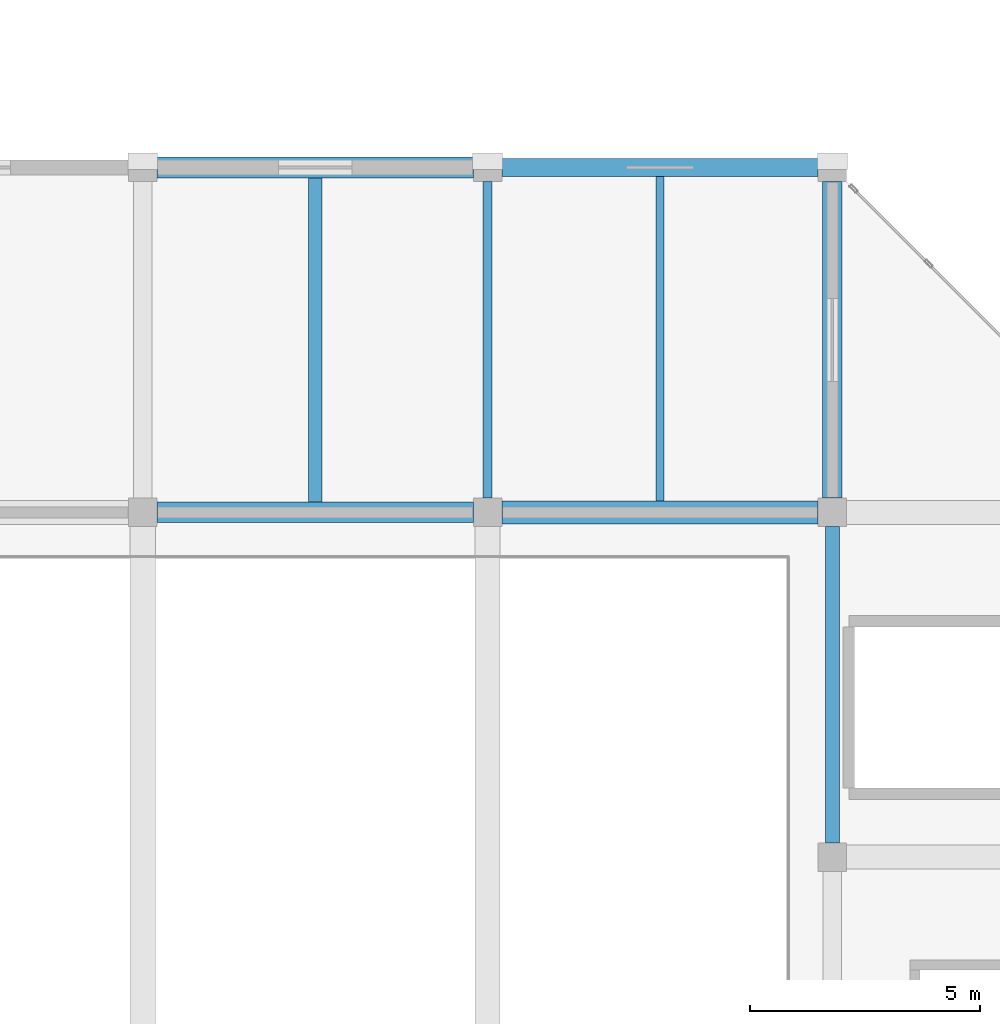
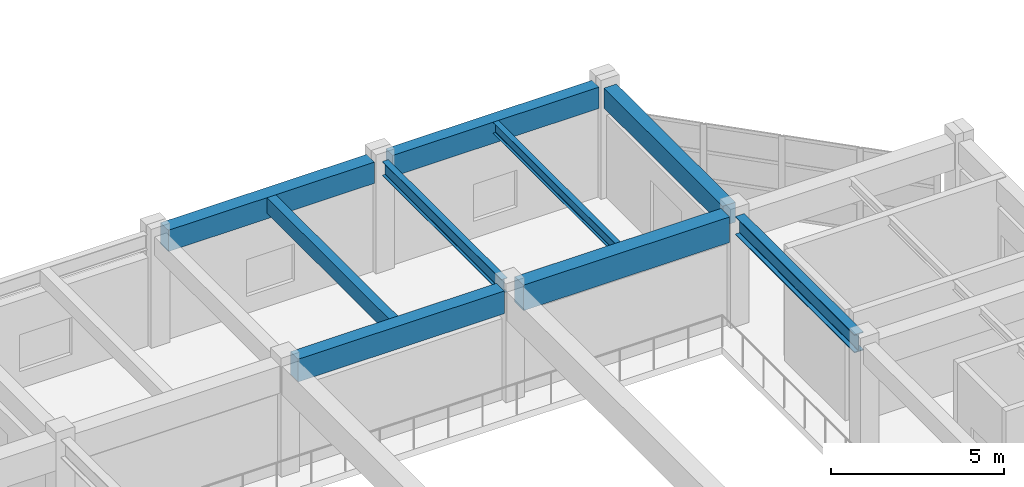
# One storey, part 64 of 124: 9 beams.
"""IFC4 building model written with IfcOpenShell, lengths in metres."""

from ifc_helpers import new_model, si_unit, direction, frame, origin, origin_2d, place, context, subcontext, project, spatial, rectangle, i_section, extrude, material, material_profile, profile_set, type_object, element, save


model = new_model("IFC4")

# Units and contexts
model_context = context("Model", 3, precision=1e-05, world=origin(), true_north=direction((0.0, 1.0)))
body_context = subcontext(model_context, "Body", "Model", "MODEL_VIEW")
ifc_project = project(units=[si_unit("LENGTHUNIT", "METRE"), si_unit("AREAUNIT", "SQUARE_METRE"), si_unit("VOLUMEUNIT", "CUBIC_METRE"), si_unit("PLANEANGLEUNIT", "RADIAN"), si_unit("MASSUNIT", "GRAM", prefix="KILO")], contexts=[model_context])

# Site, building, storey
site_placement = place(None, origin())
site = spatial("IfcSite", under=ifc_project, at=site_placement, CompositionType="ELEMENT")
building_placement = place(site_placement, origin())
building = spatial("IfcBuilding", under=site, at=building_placement, Name="Qasida Concert Hall", CompositionType="ELEMENT")
storey_placement = place(building_placement, frame((0.0, 0.0, 9.0)))
storey = spatial("IfcBuildingStorey", under=building, at=storey_placement, Name="L02", CompositionType="ELEMENT", Elevation=9.0)

# Beams
ifc_material_1 = material(Name="Concrete C40/50", Category="concrete")
ifc_material_profile_1 = material_profile(ifc_material_1, rectangle(XDim=0.419921875, YDim=0.699951171875, at=origin_2d()), Name="RC 420x700")
ifc_profile_set_1 = profile_set([ifc_material_profile_1], Name="Concrete C40/50")
beam_type_1 = type_object("IfcBeamType", Name="BM-B11", PredefinedType="BEAM", material=ifc_profile_set_1)
beam_1_placement = place(storey_placement, frame((157.5, 22.81005859375, 3.550048828125), z_axis=(0.0, 1.0, 0.0), x_axis=(-1.0, 0.0, 0.0)))
element("IfcBeam", 1, at=beam_1_placement, inside=storey, type_object=beam_type_1, Name="L02 girder 1256", PredefinedType="BEAM", context=body_context, shape_type="SweptSolid", body=[
    extrude(rectangle(XDim=0.419921875, YDim=0.699951171875, at=origin_2d()), origin(), (0.0, 0.0, 1.0), 6.8798828125),
])
ifc_material_2 = material(Name="Steel S355J2", Category="steel")
ifc_material_profile_2 = material_profile(ifc_material_2, i_section(OverallWidth=0.300048828125, OverallDepth=0.64990234375, WebThickness=0.01611328125, FlangeThickness=0.031005859375, FilletRadius=0.027099609375, at=origin_2d()), Name="HEB 650")
ifc_profile_set_2 = profile_set([ifc_material_profile_2], Name="Steel S355J2")
beam_type_2 = type_object("IfcBeamType", Name="BM-B13", PredefinedType="BEAM", material=ifc_profile_set_2)
beam_2_placement = place(storey_placement, frame((157.5, 15.31005859375, 3.574951171875), z_axis=(0.0, 1.0, 0.0), x_axis=(-1.0, 0.0, 0.0)))
element("IfcBeam", 2, at=beam_2_placement, inside=storey, type_object=beam_type_2, Name="L02 girder 1255", PredefinedType="BEAM", context=body_context, shape_type="SweptSolid", body=[
    extrude(i_section(OverallWidth=0.300048828125, OverallDepth=0.64990234375, WebThickness=0.01611328125, FlangeThickness=0.031005859375, FilletRadius=0.027099609375, at=origin_2d()), origin(), (0.0, 0.0, 1.0), 6.8798828125),
])
ifc_material_profile_3 = material_profile(ifc_material_2, i_section(OverallWidth=0.199951171875, OverallDepth=0.5, WebThickness=0.01025390625, FlangeThickness=0.01611328125, FilletRadius=0.02099609375, at=origin_2d()), Name="IPE 500")
ifc_profile_set_3 = profile_set([ifc_material_profile_3], Name="Steel S355J2")
beam_type_3 = type_object("IfcBeamType", Name="BM-B4", PredefinedType="BEAM", material=ifc_profile_set_3)
beam_3_placement = place(storey_placement, frame((150.0, 22.81005859375, 3.64990234375), z_axis=(0.0, 1.0, 0.0), x_axis=(-1.0, 0.0, 0.0)))
element("IfcBeam", 3, at=beam_3_placement, inside=storey, type_object=beam_type_3, Name="L02 girder 1252", PredefinedType="BEAM", context=body_context, shape_type="SweptSolid", body=[
    extrude(i_section(OverallWidth=0.199951171875, OverallDepth=0.5, WebThickness=0.01025390625, FlangeThickness=0.01611328125, FilletRadius=0.02099609375, at=origin_2d()), origin(), (0.0, 0.0, 1.0), 6.8798828125),
])
ifc_material_profile_4 = material_profile(ifc_material_1, rectangle(XDim=0.5, YDim=0.89990234375, at=origin_2d()), Name="RC 500x900")
ifc_profile_set_4 = profile_set([ifc_material_profile_4], Name="Concrete C40/50")
beam_type_4 = type_object("IfcBeamType", Name="BM-G1", PredefinedType="USERDEFINED", material=ifc_profile_set_4)
beam_4_placement = place(storey_placement, frame((150.31005859375, 22.5, 3.449951171875), z_axis=(1.0, 0.0, 0.0), x_axis=(0.0, 1.0, 0.0)))
element("IfcBeam", 4, at=beam_4_placement, inside=storey, type_object=beam_type_4, Name="Primary girder 1236", ObjectType="GIRDER", PredefinedType="USERDEFINED", context=body_context, shape_type="SweptSolid", body=[
    extrude(rectangle(XDim=0.5, YDim=0.89990234375, at=origin_2d()), origin(), (0.0, 0.0, 1.0), 6.8798828125),
])
ifc_material_profile_5 = material_profile(ifc_material_1, rectangle(XDim=0.449951171875, YDim=0.800048828125, at=origin_2d()), Name="RC 450x800")
ifc_profile_set_5 = profile_set([ifc_material_profile_5], Name="Concrete C40/50")
beam_type_5 = type_object("IfcBeamType", Name="BM-G2", PredefinedType="USERDEFINED", material=ifc_profile_set_5)
beam_5_placement = place(storey_placement, frame((142.81005859375, 22.5, 3.5), z_axis=(1.0, 0.0, 0.0), x_axis=(0.0, 1.0, 0.0)))
element("IfcBeam", 5, at=beam_5_placement, inside=storey, type_object=beam_type_5, Name="Primary girder 1235", ObjectType="GIRDER", PredefinedType="USERDEFINED", context=body_context, shape_type="SweptSolid", body=[
    extrude(rectangle(XDim=0.449951171875, YDim=0.800048828125, at=origin_2d()), origin(), (0.0, 0.0, 1.0), 6.8798828125),
])
ifc_material_profile_6 = material_profile(ifc_material_1, rectangle(XDim=0.300048828125, YDim=0.550048828125, at=origin_2d()), Name="RC 300x550")
ifc_profile_set_6 = profile_set([ifc_material_profile_6], Name="Concrete C40/50")
beam_type_6 = type_object("IfcBeamType", Name="BM-J1", PredefinedType="JOIST", material=ifc_profile_set_6)
beam_6_placement = place(storey_placement, frame((146.25, 22.72509765625, 3.625), z_axis=(0.0, 1.0, 0.0), x_axis=(-1.0, 0.0, 0.0)))
element("IfcBeam", 6, at=beam_6_placement, inside=storey, type_object=beam_type_6, Name="L02 secondary joist 1264", PredefinedType="JOIST", context=body_context, shape_type="SweptSolid", body=[
    extrude(rectangle(XDim=0.300048828125, YDim=0.550048828125, at=origin_2d()), origin(), (0.0, 0.0, 1.0), 7.0498046875),
])
ifc_material_profile_7 = material_profile(ifc_material_2, i_section(OverallWidth=0.179931640625, OverallDepth=0.39990234375, WebThickness=0.008544921875, FlangeThickness=0.013427734375, FilletRadius=0.02099609375, at=origin_2d()), Name="IPE 400")
ifc_profile_set_7 = profile_set([ifc_material_profile_7], Name="Steel S355J2")
beam_type_7 = type_object("IfcBeamType", Name="BM-J3", PredefinedType="JOIST", material=ifc_profile_set_7)
beam_7_placement = place(storey_placement, frame((153.75, 22.75, 3.699951171875), z_axis=(0.0, 1.0, 0.0), x_axis=(-1.0, 0.0, 0.0)))
element("IfcBeam", 7, at=beam_7_placement, inside=storey, type_object=beam_type_7, Name="L02 secondary joist 1266", PredefinedType="JOIST", context=body_context, shape_type="SweptSolid", body=[
    extrude(i_section(OverallWidth=0.179931640625, OverallDepth=0.39990234375, WebThickness=0.008544921875, FlangeThickness=0.013427734375, FilletRadius=0.02099609375, at=origin_2d()), origin(), (0.0, 0.0, 1.0), 7.050048828125),
])
ifc_material_profile_8 = material_profile(ifc_material_1, rectangle(XDim=0.39990234375, YDim=0.75, at=origin_2d()), Name="RC 400x750")
ifc_profile_set_8 = profile_set([ifc_material_profile_8], Name="Concrete C40/50")
beam_type_8 = type_object("IfcBeamType", Name="BM-SP1", PredefinedType="SPANDREL", material=ifc_profile_set_8)
beam_8_placement = place(storey_placement, frame((150.31005859375, 30.0, 3.52490234375), z_axis=(1.0, 0.0, 0.0), x_axis=(0.0, 1.0, 0.0)))
element("IfcBeam", 8, at=beam_8_placement, inside=storey, type_object=beam_type_8, Name="Primary girder 1240", PredefinedType="SPANDREL", context=body_context, shape_type="SweptSolid", body=[
    extrude(rectangle(XDim=0.39990234375, YDim=0.75, at=origin_2d()), origin(), (0.0, 0.0, 1.0), 6.8798828125),
])
ifc_material_profile_9 = material_profile(ifc_material_1, rectangle(XDim=0.449951171875, YDim=0.75, at=origin_2d()), Name="RC 450x750")
ifc_profile_set_9 = profile_set([ifc_material_profile_9], Name="Concrete C40/50")
beam_type_9 = type_object("IfcBeamType", Name="BM-SP4", PredefinedType="SPANDREL", material=ifc_profile_set_9)
beam_9_placement = place(storey_placement, frame((142.81005859375, 30.0, 3.52490234375), z_axis=(1.0, 0.0, 0.0), x_axis=(0.0, 1.0, 0.0)))
element("IfcBeam", 9, at=beam_9_placement, inside=storey, type_object=beam_type_9, Name="Primary girder 1239", PredefinedType="SPANDREL", context=body_context, shape_type="SweptSolid", body=[
    extrude(rectangle(XDim=0.449951171875, YDim=0.75, at=origin_2d()), origin(), (0.0, 0.0, 1.0), 6.8798828125),
])

save(model, "model.ifc")
